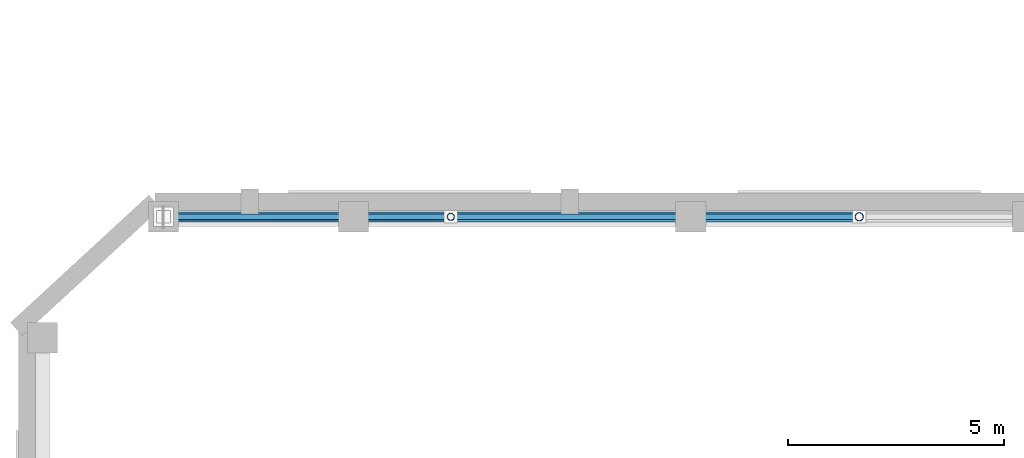
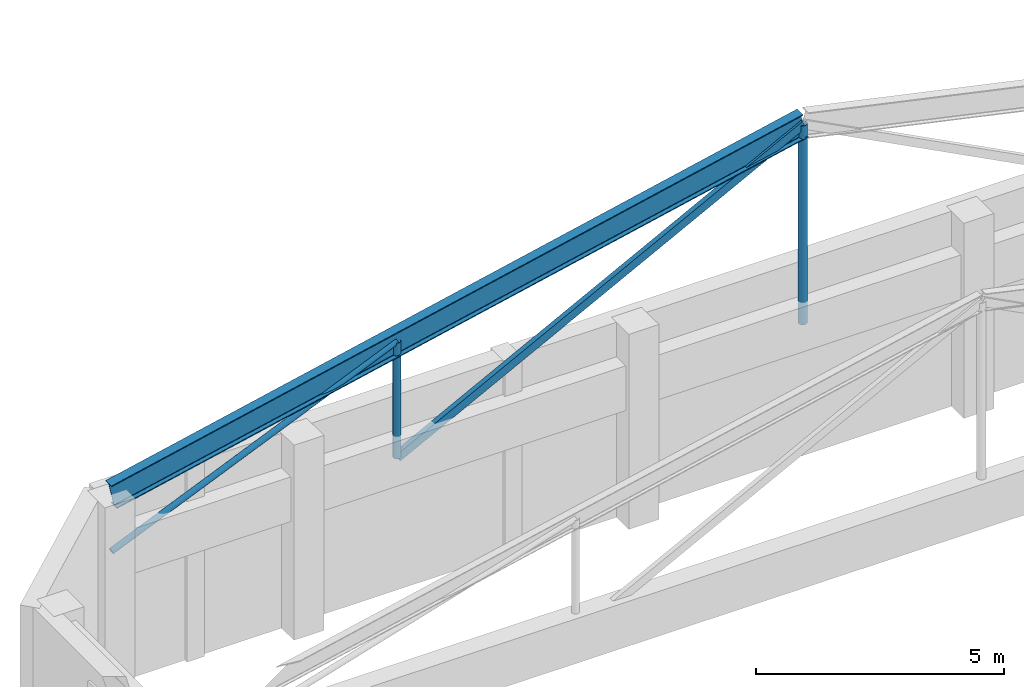
# One storey, part 39 of 105: 4 members, 1 beam.
"""IFC4 building model written with IfcOpenShell, lengths in metres."""

from ifc_helpers import new_model, si_unit, direction, frame, origin, origin_2d, place, context, subcontext, project, spatial, hollow_rectangle, hollow_circle, i_section, extrude, material, material_profile, profile_set, type_object, element, save


model = new_model("IFC4")

# Units and contexts
model_context = context("Model", 3, precision=1e-05, world=origin(), true_north=direction((0.0, 1.0)))
body_context = subcontext(model_context, "Body", "Model", "MODEL_VIEW")
ifc_project = project(units=[si_unit("LENGTHUNIT", "METRE"), si_unit("AREAUNIT", "SQUARE_METRE"), si_unit("VOLUMEUNIT", "CUBIC_METRE"), si_unit("PLANEANGLEUNIT", "RADIAN"), si_unit("MASSUNIT", "GRAM", prefix="KILO")], contexts=[model_context])

# Site, building, storey
site_placement = place(None, origin())
site = spatial("IfcSite", under=ifc_project, at=site_placement, CompositionType="ELEMENT")
building_placement = place(site_placement, origin())
building = spatial("IfcBuilding", under=site, at=building_placement, Name="Pelvatis Terrace Science Centre", CompositionType="ELEMENT")
storey_placement = place(building_placement, frame((0.0, 0.0, 10.199951171875)))
storey = spatial("IfcBuildingStorey", under=building, at=storey_placement, Name="L02", CompositionType="ELEMENT", Elevation=10.199951171875)

# Beam
ifc_material_1 = material(Name="Structural steel S355", Category="steel")
ifc_material_profile_1 = material_profile(ifc_material_1, i_section(OverallWidth=0.22998046875, OverallDepth=0.616943359375, WebThickness=0.01318359375, FlangeThickness=0.022216796875, FilletRadius=0.01611328125, at=origin_2d()), Name="W610x140")
ifc_profile_set_1 = profile_set([ifc_material_profile_1], Name="Structural steel S355")
beam_type = type_object("IfcBeamType", Name="BM-STL-W610x140", PredefinedType="BEAM", material=ifc_profile_set_1)
beam_placement = place(storey_placement, frame((11.199951171875, 116.39990234375, 4.793701171875), z_axis=(0.977096595659, 0.0, 0.212796247033), x_axis=(0.0, 1.0, 0.0)))
element("IfcBeam", 1, at=beam_placement, inside=storey, type_object=beam_type, Name="Theatre roof truss 7 west top girder", PredefinedType="BEAM", context=body_context, shape_type="SweptSolid", body=[
    extrude(i_section(OverallWidth=0.22998046875, OverallDepth=0.616943359375, WebThickness=0.01318359375, FlangeThickness=0.022216796875, FilletRadius=0.01611328125, at=origin_2d()), origin(), (0.0, 0.0, 1.0), 16.4775390625),
])

# Members
ifc_material_2 = material(Name="Structural steel S355", Category="steel")
ifc_material_profile_2 = material_profile(ifc_material_2, hollow_circle(Radius=0.06982421875, WallThickness=0.0048828125, at=origin_2d()), Name="CHS 139.7x5.0")
ifc_profile_set_2 = profile_set([ifc_material_profile_2], Name="Structural steel S355")
member_type_1 = type_object("IfcMemberType", Name="MEM-BRC-CHS140", PredefinedType="BRACE", material=ifc_profile_set_2)
member_1_placement = place(storey_placement, frame((11.199951171875, 116.39990234375, 3.400146484375), z_axis=(0.919155502, 0.0, 0.393894863058), x_axis=(0.0, 1.0, 0.0)))
element("IfcMember", 2, at=member_1_placement, inside=storey, type_object=member_type_1, Name="Theatre truss 7 web 3", PredefinedType="BRACE", context=body_context, shape_type="SweptSolid", body=[
    extrude(hollow_circle(Radius=0.06982421875, WallThickness=0.0048828125, at=origin_2d()), origin(), (0.0, 0.0, 1.0), 7.235107421875),
])
ifc_material_3 = material(Name="Structural steel S355", Category="steel")
ifc_material_profile_3 = material_profile(ifc_material_3, hollow_rectangle(XDim=0.1201171875, YDim=0.199951171875, WallThickness=0.00634765625, at=origin_2d()), Name="RHS 200x120x6.3")
ifc_profile_set_3 = profile_set([ifc_material_profile_3], Name="Structural steel S355")
member_type_2 = type_object("IfcMemberType", Name="MEM-BRC-RHS200", PredefinedType="BRACE", material=ifc_profile_set_3)
member_2_placement = place(storey_placement, frame((17.85009765625, 116.39990234375, 3.400146484375), z_axis=(0.887757308466, 0.0, 0.46031180874), x_axis=(0.0, 1.0, 0.0)))
element("IfcMember", 3, at=member_2_placement, inside=storey, type_object=member_type_2, Name="Theatre truss 7 web 4", PredefinedType="BRACE", context=body_context, shape_type="SweptSolid", body=[
    extrude(hollow_rectangle(XDim=0.1201171875, YDim=0.199951171875, WallThickness=0.00634765625, at=origin_2d()), origin(), (0.0, 0.0, 1.0), 10.644775390625),
])
ifc_material_4 = material(Name="Structural steel S355", Category="steel")
ifc_material_profile_4 = material_profile(ifc_material_4, hollow_circle(Radius=0.084228515625, WallThickness=0.00634765625, at=origin_2d()), Name="CHS 168.3x6.3")
ifc_profile_set_4 = profile_set([ifc_material_profile_4], Name="Structural steel S355")
member_type_3 = type_object("IfcMemberType", Name="MEM-STR-CHS168", PredefinedType="STRUT", material=ifc_profile_set_4)
member_3_placement = place(storey_placement, frame((17.85009765625, 116.39990234375, 3.400146484375), z_axis=(0.0, 0.0, 1.0), x_axis=(1.0, 0.0, 0.0)))
element("IfcMember", 4, at=member_3_placement, inside=storey, type_object=member_type_3, Name="Theatre truss 7 web 1", PredefinedType="STRUT", context=body_context, shape_type="SweptSolid", body=[
    extrude(hollow_circle(Radius=0.084228515625, WallThickness=0.00634765625, at=origin_2d()), origin(), (0.0, 0.0, 1.0), 2.849853515625),
])
ifc_material_5 = material(Name="Structural steel S355", Category="steel")
ifc_material_profile_5 = material_profile(ifc_material_5, hollow_circle(Radius=0.096923828125, WallThickness=0.008056640625, at=origin_2d()), Name="CHS 193.7x8.0")
ifc_profile_set_5 = profile_set([ifc_material_profile_5], Name="Structural steel S355")
member_type_4 = type_object("IfcMemberType", Name="MEM-STR-CHS194", PredefinedType="STRUT", material=ifc_profile_set_5)
member_4_placement = place(storey_placement, frame((27.300048828125, 116.39990234375, 3.400146484375), z_axis=(0.0, 0.0, 1.0), x_axis=(1.0, 0.0, 0.0)))
element("IfcMember", 5, at=member_4_placement, inside=storey, type_object=member_type_4, Name="Theatre roof truss 7 king strut", PredefinedType="STRUT", context=body_context, shape_type="SweptSolid", body=[
    extrude(hollow_circle(Radius=0.096923828125, WallThickness=0.008056640625, at=origin_2d()), origin(), (0.0, 0.0, 1.0), 4.89990234375),
])

save(model, "model.ifc")
